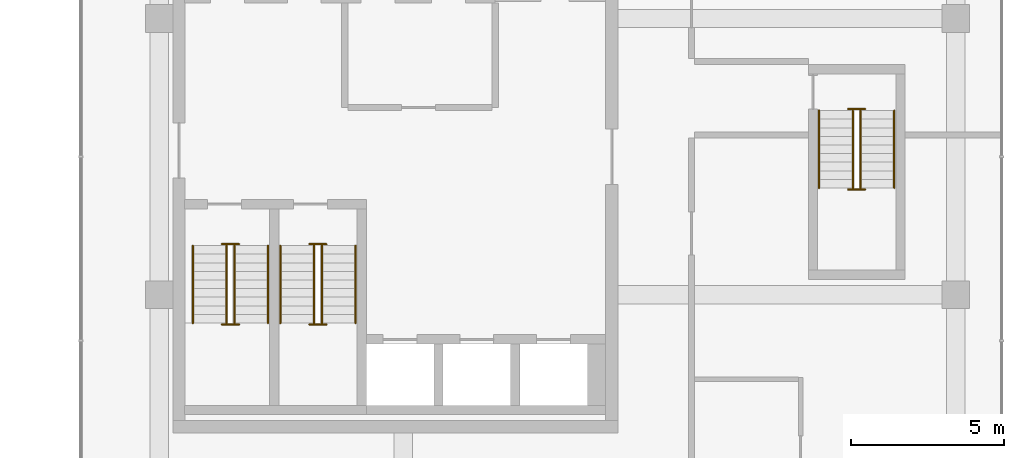
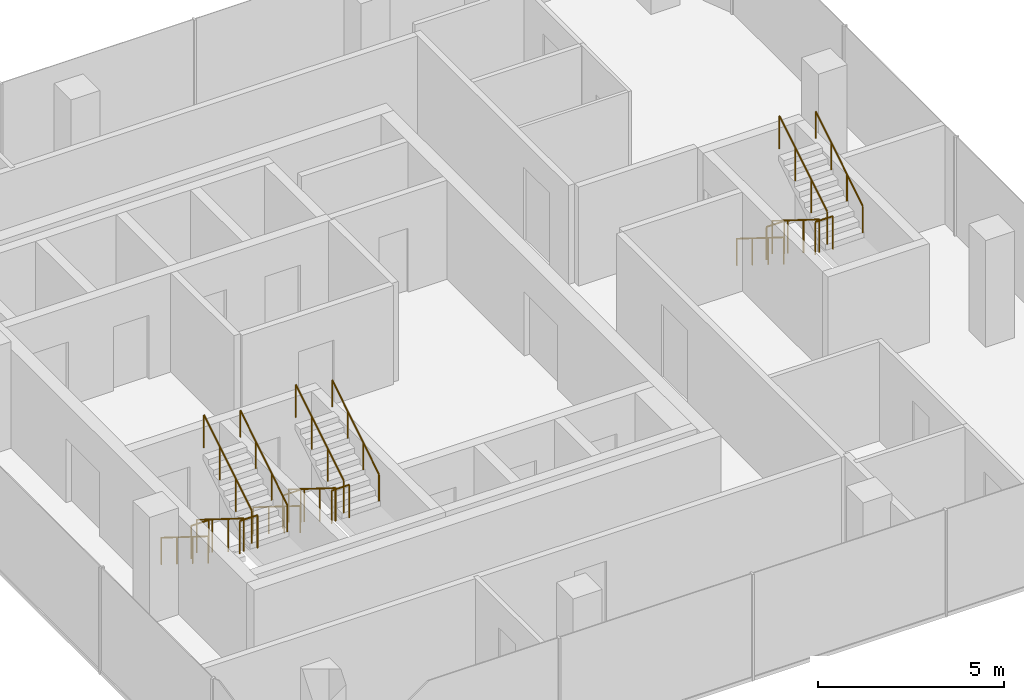
# One storey, part 23 of 23: 18 railings.
"""IFC4 building model written with IfcOpenShell, lengths in metres."""

import ifcopenshell
import ifcopenshell.guid

model = None  # the IFC model being written
_history = None  # IfcOwnerHistory: only IFC2X3 demands one
_inside = {}  # id of a spatial element -> (the spatial element, [elements in it])
_under = {}  # id of a project, library or spatial element -> (it, [spatial elements below it])
_declared = {}  # id of a project -> (the project, [libraries it declares])
_typed = {}  # id of a type object -> (the type object, [elements of that type])
_made_of = {}  # id of a material, layer set ... -> (it, [elements and type objects made of it])


def new_model(schema):
    """Start an empty IFC model of exactly this schema.

    Asked for "IFC4X3", IfcOpenShell would pick the latest addendum, in which some entities
    have other attributes; the version numbers below select the first issue.
    IFC2X3 requires an IfcOwnerHistory on every rooted entity: one is made here for all.
    """
    global model, _history
    if schema == "IFC4X3":
        model = ifcopenshell.file(schema_version=(4, 3, 0, 0))
    else:
        model = ifcopenshell.file(schema=schema)
    _inside.clear()
    _under.clear()
    _declared.clear()
    _typed.clear()
    _made_of.clear()
    _history = None
    if model.schema == "IFC2X3":
        org = make("IfcOrganization", Name="unknown")
        user = make(
            "IfcPersonAndOrganization",
            ThePerson=make("IfcPerson", FamilyName="unknown"),
            TheOrganization=org,
        )
        app = make(
            "IfcApplication",
            ApplicationDeveloper=org,
            Version="unknown",
            ApplicationFullName="unknown",
            ApplicationIdentifier="unknown",
        )
        _history = make(
            "IfcOwnerHistory",
            OwningUser=user,
            OwningApplication=app,
            ChangeAction="ADDED",
            CreationDate=0,
        )
    return model


def make(cls, **values):
    """One entity of the class cls with the attributes given. An attribute that is None is left unset."""
    return model.create_entity(
        cls, **{name: value for name, value in values.items() if value is not None}
    )


def rooted(cls, **values):
    """An entity with a GlobalId (a new one), such as an element, a storey or a relation."""
    return make(cls, GlobalId=ifcopenshell.guid.new(), OwnerHistory=_history, **values)


def si_unit(unit_type, name, prefix=None):
    """IfcSIUnit, for example si_unit("LENGTHUNIT", "METRE", prefix="MILLI")."""
    return make("IfcSIUnit", UnitType=unit_type, Prefix=prefix, Name=name)


def assignment(units):
    """IfcUnitAssignment: the units of a project."""
    return None if units is None else make("IfcUnitAssignment", Units=units)


def point(xyz):
    """IfcCartesianPoint."""
    return None if xyz is None else make("IfcCartesianPoint", Coordinates=xyz)


def direction(xyz):
    """IfcDirection."""
    return None if xyz is None else make("IfcDirection", DirectionRatios=xyz)


def frame(location, z_axis=None, x_axis=None):
    """IfcAxis2Placement3D, a coordinate frame: its origin and axes. An axis left out is left unset."""
    return make(
        "IfcAxis2Placement3D",
        Location=point(location),
        Axis=direction(z_axis),
        RefDirection=direction(x_axis),
    )


def frame_2d(location, x_axis=None):
    """IfcAxis2Placement2D, a coordinate frame in the plane: its origin and x axis."""
    return make(
        "IfcAxis2Placement2D", Location=point(location), RefDirection=direction(x_axis)
    )


def origin():
    """The frame at (0, 0, 0) with its axes left unset."""
    return frame((0.0, 0.0, 0.0))


def origin_2d():
    """The frame at (0, 0) in the plane with its x axis left unset."""
    return frame_2d((0.0, 0.0))


def place(relative_to, where):
    """IfcLocalPlacement: puts the frame where relative to a parent placement (None: the world)."""
    return make(
        "IfcLocalPlacement", PlacementRelTo=relative_to, RelativePlacement=where
    )


def context(
    kind, dimensions, precision=None, world=None, true_north=None, identifier=None
):
    """IfcGeometricRepresentationContext, for example the 3D "Model" context."""
    return make(
        "IfcGeometricRepresentationContext",
        ContextIdentifier=identifier,
        ContextType=kind,
        CoordinateSpaceDimension=dimensions,
        Precision=precision,
        WorldCoordinateSystem=world,
        TrueNorth=true_north,
    )


def subcontext(parent, identifier, kind, view, scale=None):
    """IfcGeometricRepresentationSubContext, for example "Body" below "Model"."""
    return make(
        "IfcGeometricRepresentationSubContext",
        ContextIdentifier=identifier,
        ContextType=kind,
        ParentContext=parent,
        TargetScale=scale,
        TargetView=view,
    )


def project(units=None, contexts=None):
    """IfcProject with its units and contexts."""
    return rooted(
        "IfcProject",
        Name="project",
        RepresentationContexts=contexts,
        UnitsInContext=assignment(units),
    )


def spatial(cls, under=None, at=None, **own):
    """A site, building, storey or space (cls), placed at a placement, below another one or the project."""
    s = rooted(cls, ObjectPlacement=at, **own)
    if under is not None:
        _under.setdefault(under.id(), (under, []))[1].append(s)
    return s


def profile(cls, at=None, kind="AREA", **sizes):
    """A parametric profile (cls). Its sizes go by their IFC names, for example OverallWidth=200.0."""
    return make(cls, ProfileType=kind, Position=at, **sizes)


def circle(**sizes):
    """IfcCircleProfileDef."""
    return profile("IfcCircleProfileDef", **sizes)


def extrude(swept, where, along, depth):
    """IfcExtrudedAreaSolid: the profile swept, set in the frame where, extruded along a direction by depth."""
    return make(
        "IfcExtrudedAreaSolid",
        SweptArea=swept,
        Position=where,
        ExtrudedDirection=direction(along),
        Depth=depth,
    )


def shape(context_of_items, identifier, shape_type, items):
    """IfcShapeRepresentation: the items that make up one representation, for example the "Body"."""
    return make(
        "IfcShapeRepresentation",
        ContextOfItems=context_of_items,
        RepresentationIdentifier=identifier,
        RepresentationType=shape_type,
        Items=items,
    )


def material(Name=None, Category=None):
    """IfcMaterial."""
    return make("IfcMaterial", Name=Name, Category=Category)


def made_of(thing, what):
    """Note that an element or type object is made of a material, layer set ...; save() writes the relation."""
    if what is not None:
        _made_of.setdefault(what.id(), (what, []))[1].append(thing)
    return thing


def type_object(cls, material=None, **own):
    """A type object (cls), such as IfcWallType, which elements share."""
    return made_of(rooted(cls, **own), material)


def element(
    cls,
    number,
    at=None,
    inside=None,
    cuts=None,
    type_object=None,
    material=None,
    context=None,
    identifier="Body",
    shape_type=None,
    held_by="IfcProductDefinitionShape",
    body=None,
    shapes=None,
    **own,
):
    """One element of the class cls, such as IfcWall. Its Tag is "e" and its number.

    at: its placement. inside: the storey or other place that contains it. cuts: it is an
    opening in that element (IfcRelVoidsElement). A single representation is given by context,
    identifier, shape_type and body (its items); several are given by shapes. held_by: the class
    of the entity that holds the representations. save() writes the other relations.
    """
    e = rooted(cls, Tag="e%d" % number, ObjectPlacement=at, **own)
    if body is not None:
        shapes = [shape(context, identifier, shape_type, body)]
    if shapes is not None:
        e.Representation = make(held_by, Representations=shapes)
    if inside is not None:
        _inside.setdefault(inside.id(), (inside, []))[1].append(e)
    if cuts is not None:
        rooted(
            "IfcRelVoidsElement", RelatingBuildingElement=cuts, RelatedOpeningElement=e
        )
    if type_object is not None:
        _typed.setdefault(type_object.id(), (type_object, []))[1].append(e)
    return made_of(e, material)


def aggregate(whole, parts):
    """IfcRelAggregates: a whole, such as a stair, and the parts it consists of."""
    return rooted("IfcRelAggregates", RelatingObject=whole, RelatedObjects=parts)


def save(model, path):
    """Write the relations noted so far, then the file.

    IfcRelAggregates (storeys below a building ...), IfcRelContainedInSpatialStructure (elements
    in a storey), IfcRelDefinesByType, IfcRelAssociatesMaterial and IfcRelDeclares: one each for
    every whole, place, type object, material and project.
    """
    for whole, parts in _under.values():
        aggregate(whole, parts)
    for where, things in _inside.values():
        rooted(
            "IfcRelContainedInSpatialStructure",
            RelatedElements=things,
            RelatingStructure=where,
        )
    for kind, things in _typed.values():
        rooted("IfcRelDefinesByType", RelatedObjects=things, RelatingType=kind)
    for what, things in _made_of.values():
        rooted("IfcRelAssociatesMaterial", RelatedObjects=things, RelatingMaterial=what)
    for by, libraries in _declared.values():
        rooted("IfcRelDeclares", RelatingContext=by, RelatedDefinitions=libraries)
    model.write(path)


model = new_model("IFC4")

# Units and contexts
model_context = context("Model", 3, precision=1e-05, world=origin(), true_north=direction((0.0, 1.0)))
body_context = subcontext(model_context, "Body", "Model", "MODEL_VIEW")
ifc_project = project(units=[si_unit("LENGTHUNIT", "METRE"), si_unit("AREAUNIT", "SQUARE_METRE"), si_unit("VOLUMEUNIT", "CUBIC_METRE"), si_unit("PLANEANGLEUNIT", "RADIAN"), si_unit("MASSUNIT", "GRAM", prefix="KILO")], contexts=[model_context])

# Site, building, storey
site_placement = place(None, origin())
site = spatial("IfcSite", under=ifc_project, at=site_placement, CompositionType="ELEMENT")
building_placement = place(site_placement, origin())
building = spatial("IfcBuilding", under=site, at=building_placement, Name="Plateau Cross Towers", CompositionType="ELEMENT")
storey_placement = place(building_placement, frame((0.0, 0.0, 92.300048828125)))
storey = spatial("IfcBuildingStorey", under=building, at=storey_placement, Name="L23", CompositionType="ELEMENT", Elevation=92.300048828125)

# Railings
ifc_material_1 = material(Name="Stainless steel and toughened glass", Category="steel")
railing_type_1 = type_object("IfcRailingType", Name="RL-GUARD-1100", PredefinedType="GUARDRAIL", material=ifc_material_1)
railing_1_placement = place(storey_placement, frame((76.75, 6.10009765625, 0.175048828125)))
element("IfcRailing", 1, at=railing_1_placement, inside=storey, type_object=railing_type_1, Name="L23 SB-1 stair guard 1", PredefinedType="GUARDRAIL", context=body_context, shape_type="SweptSolid", body=[
    extrude(circle(Radius=0.02392578125, at=origin_2d()), frame((0.0, 0.0, 1.076171875), z_axis=(0.0, -0.848007534815, 0.529984170421), x_axis=(1.0, 0.0, 0.0)), (0.0, 0.0, 1.0), 2.9716796875),
    extrude(circle(Radius=0.02099609375, at=origin_2d()), origin(), (0.0, 0.0, 1.0), 1.052001953125),
    extrude(circle(Radius=0.02099609375, at=origin_2d()), frame((0.0, -0.840087890625, 0.52490234375)), (0.0, 0.0, 1.0), 1.052001953125),
    extrude(circle(Radius=0.02099609375, at=origin_2d()), frame((0.0, -1.679931640625, 1.050048828125)), (0.0, 0.0, 1.0), 1.052001953125),
    extrude(circle(Radius=0.02099609375, at=origin_2d()), frame((0.0, -2.52001953125, 1.574951171875)), (0.0, 0.0, 1.0), 1.052001953125),
])
railing_2_placement = place(storey_placement, frame((76.60009765625, 3.530029296875, 1.75)))
element("IfcRailing", 2, at=railing_2_placement, inside=storey, type_object=railing_type_1, Name="L23 SB-1 stair guard 2", PredefinedType="GUARDRAIL", context=body_context, shape_type="SweptSolid", body=[
    extrude(circle(Radius=0.02392578125, at=origin_2d()), frame((0.0, 0.0, 1.076171875), z_axis=(1.0, 0.0, 0.0), x_axis=(0.0, 1.0, 0.0)), (0.0, 0.0, 1.0), 0.5498046875),
    extrude(circle(Radius=0.02099609375, at=origin_2d()), origin(), (0.0, 0.0, 1.0), 1.052001953125),
    extrude(circle(Radius=0.02099609375, at=origin_2d()), frame((0.5498046875, 0.0, 0.0)), (0.0, 0.0, 1.0), 1.052001953125),
])
railing_3_placement = place(storey_placement, frame((77.0, 3.580078125, 1.925048828125)))
element("IfcRailing", 3, at=railing_3_placement, inside=storey, type_object=railing_type_1, Name="L23 SB-1 stair guard 3", PredefinedType="GUARDRAIL", context=body_context, shape_type="SweptSolid", body=[
    extrude(circle(Radius=0.02392578125, at=origin_2d()), frame((0.0, 0.0, 1.076171875), z_axis=(0.0, 0.852616386126, 0.522537365276), x_axis=(-1.0, 0.0, 0.0)), (0.0, 0.0, 1.0), 3.01416015625),
    extrude(circle(Radius=0.02099609375, at=origin_2d()), origin(), (0.0, 0.0, 1.0), 1.052001953125),
    extrude(circle(Radius=0.02099609375, at=origin_2d()), frame((0.0, 0.856689453125, 0.52490234375)), (0.0, 0.0, 1.0), 1.052001953125),
    extrude(circle(Radius=0.02099609375, at=origin_2d()), frame((0.0, 1.713134765625, 1.050048828125)), (0.0, 0.0, 1.0), 1.052001953125),
    extrude(circle(Radius=0.02099609375, at=origin_2d()), frame((0.0, 2.56982421875, 1.574951171875)), (0.0, 0.0, 1.0), 1.052001953125),
])
railing_4_placement = place(storey_placement, frame((76.60009765625, 6.14990234375, 0.0)))
element("IfcRailing", 4, at=railing_4_placement, inside=storey, type_object=railing_type_1, Name="L23 SB-1 stair guard 4", PredefinedType="GUARDRAIL", context=body_context, shape_type="SweptSolid", body=[
    extrude(circle(Radius=0.02392578125, at=origin_2d()), frame((0.0, 0.0, 1.076171875), z_axis=(1.0, 0.0, 0.0), x_axis=(0.0, 1.0, 0.0)), (0.0, 0.0, 1.0), 0.5498046875),
    extrude(circle(Radius=0.02099609375, at=origin_2d()), origin(), (0.0, 0.0, 1.0), 1.052001953125),
    extrude(circle(Radius=0.02099609375, at=origin_2d()), frame((0.5498046875, 0.0, 0.0)), (0.0, 0.0, 1.0), 1.052001953125),
])
railing_5_placement = place(storey_placement, frame((79.60009765625, 6.10009765625, 0.175048828125)))
element("IfcRailing", 5, at=railing_5_placement, inside=storey, type_object=railing_type_1, Name="L23 SB-2 stair guard 1", PredefinedType="GUARDRAIL", context=body_context, shape_type="SweptSolid", body=[
    extrude(circle(Radius=0.02392578125, at=origin_2d()), frame((0.0, 0.0, 1.076171875), z_axis=(0.0, -0.848007534815, 0.529984170421), x_axis=(1.0, 0.0, 0.0)), (0.0, 0.0, 1.0), 2.9716796875),
    extrude(circle(Radius=0.02099609375, at=origin_2d()), origin(), (0.0, 0.0, 1.0), 1.052001953125),
    extrude(circle(Radius=0.02099609375, at=origin_2d()), frame((0.0, -0.840087890625, 0.52490234375)), (0.0, 0.0, 1.0), 1.052001953125),
    extrude(circle(Radius=0.02099609375, at=origin_2d()), frame((0.0, -1.679931640625, 1.050048828125)), (0.0, 0.0, 1.0), 1.052001953125),
    extrude(circle(Radius=0.02099609375, at=origin_2d()), frame((0.0, -2.52001953125, 1.574951171875)), (0.0, 0.0, 1.0), 1.052001953125),
])
railing_6_placement = place(storey_placement, frame((79.449951171875, 3.530029296875, 1.75)))
element("IfcRailing", 6, at=railing_6_placement, inside=storey, type_object=railing_type_1, Name="L23 SB-2 stair guard 2", PredefinedType="GUARDRAIL", context=body_context, shape_type="SweptSolid", body=[
    extrude(circle(Radius=0.02392578125, at=origin_2d()), frame((0.0, 0.0, 1.076171875), z_axis=(1.0, 0.0, 0.0), x_axis=(0.0, 1.0, 0.0)), (0.0, 0.0, 1.0), 0.550048828125),
    extrude(circle(Radius=0.02099609375, at=origin_2d()), origin(), (0.0, 0.0, 1.0), 1.052001953125),
    extrude(circle(Radius=0.02099609375, at=origin_2d()), frame((0.550048828125, 0.0, 0.0)), (0.0, 0.0, 1.0), 1.052001953125),
])
railing_7_placement = place(storey_placement, frame((79.85009765625, 3.580078125, 1.925048828125)))
element("IfcRailing", 7, at=railing_7_placement, inside=storey, type_object=railing_type_1, Name="L23 SB-2 stair guard 3", PredefinedType="GUARDRAIL", context=body_context, shape_type="SweptSolid", body=[
    extrude(circle(Radius=0.02392578125, at=origin_2d()), frame((0.0, 0.0, 1.076171875), z_axis=(0.0, 0.852616386126, 0.522537365276), x_axis=(-1.0, 0.0, 0.0)), (0.0, 0.0, 1.0), 3.01416015625),
    extrude(circle(Radius=0.02099609375, at=origin_2d()), origin(), (0.0, 0.0, 1.0), 1.052001953125),
    extrude(circle(Radius=0.02099609375, at=origin_2d()), frame((0.0, 0.856689453125, 0.52490234375)), (0.0, 0.0, 1.0), 1.052001953125),
    extrude(circle(Radius=0.02099609375, at=origin_2d()), frame((0.0, 1.713134765625, 1.050048828125)), (0.0, 0.0, 1.0), 1.052001953125),
    extrude(circle(Radius=0.02099609375, at=origin_2d()), frame((0.0, 2.56982421875, 1.574951171875)), (0.0, 0.0, 1.0), 1.052001953125),
])
railing_8_placement = place(storey_placement, frame((79.449951171875, 6.14990234375, 0.0)))
element("IfcRailing", 8, at=railing_8_placement, inside=storey, type_object=railing_type_1, Name="L23 SB-2 stair guard 4", PredefinedType="GUARDRAIL", context=body_context, shape_type="SweptSolid", body=[
    extrude(circle(Radius=0.02392578125, at=origin_2d()), frame((0.0, 0.0, 1.076171875), z_axis=(1.0, 0.0, 0.0), x_axis=(0.0, 1.0, 0.0)), (0.0, 0.0, 1.0), 0.550048828125),
    extrude(circle(Radius=0.02099609375, at=origin_2d()), origin(), (0.0, 0.0, 1.0), 1.052001953125),
    extrude(circle(Radius=0.02099609375, at=origin_2d()), frame((0.550048828125, 0.0, 0.0)), (0.0, 0.0, 1.0), 1.052001953125),
])
railing_9_placement = place(storey_placement, frame((97.14990234375, 10.5, 0.175048828125)))
element("IfcRailing", 9, at=railing_9_placement, inside=storey, type_object=railing_type_1, Name="L23 SB-3 stair guard 1", PredefinedType="GUARDRAIL", context=body_context, shape_type="SweptSolid", body=[
    extrude(circle(Radius=0.02392578125, at=origin_2d()), frame((0.0, 0.0, 1.076171875), z_axis=(0.0, -0.848007534815, 0.529984170421), x_axis=(1.0, 0.0, 0.0)), (0.0, 0.0, 1.0), 2.9716796875),
    extrude(circle(Radius=0.02099609375, at=origin_2d()), origin(), (0.0, 0.0, 1.0), 1.052001953125),
    extrude(circle(Radius=0.02099609375, at=origin_2d()), frame((0.0, -0.840087890625, 0.52490234375)), (0.0, 0.0, 1.0), 1.052001953125),
    extrude(circle(Radius=0.02099609375, at=origin_2d()), frame((0.0, -1.679931640625, 1.050048828125)), (0.0, 0.0, 1.0), 1.052001953125),
    extrude(circle(Radius=0.02099609375, at=origin_2d()), frame((0.0, -2.52001953125, 1.574951171875)), (0.0, 0.0, 1.0), 1.052001953125),
])
railing_10_placement = place(storey_placement, frame((97.0, 7.929931640625, 1.75)))
element("IfcRailing", 10, at=railing_10_placement, inside=storey, type_object=railing_type_1, Name="L23 SB-3 stair guard 2", PredefinedType="GUARDRAIL", context=body_context, shape_type="SweptSolid", body=[
    extrude(circle(Radius=0.02392578125, at=origin_2d()), frame((0.0, 0.0, 1.076171875), z_axis=(1.0, 0.0, 0.0), x_axis=(0.0, 1.0, 0.0)), (0.0, 0.0, 1.0), 0.550048828125),
    extrude(circle(Radius=0.02099609375, at=origin_2d()), origin(), (0.0, 0.0, 1.0), 1.052001953125),
    extrude(circle(Radius=0.02099609375, at=origin_2d()), frame((0.550048828125, 0.0, 0.0)), (0.0, 0.0, 1.0), 1.052001953125),
])
railing_11_placement = place(storey_placement, frame((97.39990234375, 7.97998046875, 1.925048828125)))
element("IfcRailing", 11, at=railing_11_placement, inside=storey, type_object=railing_type_1, Name="L23 SB-3 stair guard 3", PredefinedType="GUARDRAIL", context=body_context, shape_type="SweptSolid", body=[
    extrude(circle(Radius=0.02392578125, at=origin_2d()), frame((0.0, 0.0, 1.076171875), z_axis=(0.0, 0.852638500773, 0.522501279423), x_axis=(-1.0, 0.0, 0.0)), (0.0, 0.0, 1.0), 3.01416015625),
    extrude(circle(Radius=0.02099609375, at=origin_2d()), origin(), (0.0, 0.0, 1.0), 1.052001953125),
    extrude(circle(Radius=0.02099609375, at=origin_2d()), frame((0.0, 0.856689453125, 0.52490234375)), (0.0, 0.0, 1.0), 1.052001953125),
    extrude(circle(Radius=0.02099609375, at=origin_2d()), frame((0.0, 1.71337890625, 1.050048828125)), (0.0, 0.0, 1.0), 1.052001953125),
    extrude(circle(Radius=0.02099609375, at=origin_2d()), frame((0.0, 2.570068359375, 1.574951171875)), (0.0, 0.0, 1.0), 1.052001953125),
])
railing_12_placement = place(storey_placement, frame((97.0, 10.550048828125, 0.0)))
element("IfcRailing", 12, at=railing_12_placement, inside=storey, type_object=railing_type_1, Name="L23 SB-3 stair guard 4", PredefinedType="GUARDRAIL", context=body_context, shape_type="SweptSolid", body=[
    extrude(circle(Radius=0.02392578125, at=origin_2d()), frame((0.0, 0.0, 1.076171875), z_axis=(1.0, 0.0, 0.0), x_axis=(0.0, 1.0, 0.0)), (0.0, 0.0, 1.0), 0.550048828125),
    extrude(circle(Radius=0.02099609375, at=origin_2d()), origin(), (0.0, 0.0, 1.0), 1.052001953125),
    extrude(circle(Radius=0.02099609375, at=origin_2d()), frame((0.550048828125, 0.0, 0.0)), (0.0, 0.0, 1.0), 1.052001953125),
])
ifc_material_2 = material(Name="Black anodised aluminium", Category="aluminium")
railing_type_2 = type_object("IfcRailingType", Name="RL-HANDRAIL-900", PredefinedType="HANDRAIL", material=ifc_material_2)
railing_13_placement = place(storey_placement, frame((75.64990234375, 6.10009765625, 0.175048828125)))
element("IfcRailing", 13, at=railing_13_placement, inside=storey, type_object=railing_type_2, Name="L23 SB-1 stair handrail 1", PredefinedType="HANDRAIL", context=body_context, shape_type="SweptSolid", body=[
    extrude(circle(Radius=0.02392578125, at=origin_2d()), frame((0.0, 0.0, 0.8759765625), z_axis=(0.0, -0.848007534815, 0.529984170421), x_axis=(1.0, 0.0, 0.0)), (0.0, 0.0, 1.0), 2.9716796875),
    extrude(circle(Radius=0.02099609375, at=origin_2d()), origin(), (0.0, 0.0, 1.0), 0.851806640625),
    extrude(circle(Radius=0.02099609375, at=origin_2d()), frame((0.0, -0.840087890625, 0.52490234375)), (0.0, 0.0, 1.0), 0.851806640625),
    extrude(circle(Radius=0.02099609375, at=origin_2d()), frame((0.0, -1.679931640625, 1.050048828125)), (0.0, 0.0, 1.0), 0.851806640625),
    extrude(circle(Radius=0.02099609375, at=origin_2d()), frame((0.0, -2.52001953125, 1.574951171875)), (0.0, 0.0, 1.0), 0.851806640625),
])
railing_14_placement = place(storey_placement, frame((78.10009765625, 3.580078125, 1.925048828125)))
element("IfcRailing", 14, at=railing_14_placement, inside=storey, type_object=railing_type_2, Name="L23 SB-1 stair handrail 2", PredefinedType="HANDRAIL", context=body_context, shape_type="SweptSolid", body=[
    extrude(circle(Radius=0.02392578125, at=origin_2d()), frame((0.0, 0.0, 0.8759765625), z_axis=(0.0, 0.848007534815, 0.529984170421), x_axis=(-1.0, 0.0, 0.0)), (0.0, 0.0, 1.0), 2.9716796875),
    extrude(circle(Radius=0.02099609375, at=origin_2d()), origin(), (0.0, 0.0, 1.0), 0.851806640625),
    extrude(circle(Radius=0.02099609375, at=origin_2d()), frame((0.0, 0.840087890625, 0.52490234375)), (0.0, 0.0, 1.0), 0.851806640625),
    extrude(circle(Radius=0.02099609375, at=origin_2d()), frame((0.0, 1.679931640625, 1.050048828125)), (0.0, 0.0, 1.0), 0.851806640625),
    extrude(circle(Radius=0.02099609375, at=origin_2d()), frame((0.0, 2.52001953125, 1.574951171875)), (0.0, 0.0, 1.0), 0.851806640625),
])
railing_15_placement = place(storey_placement, frame((78.5, 6.10009765625, 0.175048828125)))
element("IfcRailing", 15, at=railing_15_placement, inside=storey, type_object=railing_type_2, Name="L23 SB-2 stair handrail 1", PredefinedType="HANDRAIL", context=body_context, shape_type="SweptSolid", body=[
    extrude(circle(Radius=0.02392578125, at=origin_2d()), frame((0.0, 0.0, 0.8759765625), z_axis=(0.0, -0.848007534815, 0.529984170421), x_axis=(1.0, 0.0, 0.0)), (0.0, 0.0, 1.0), 2.9716796875),
    extrude(circle(Radius=0.02099609375, at=origin_2d()), origin(), (0.0, 0.0, 1.0), 0.851806640625),
    extrude(circle(Radius=0.02099609375, at=origin_2d()), frame((0.0, -0.840087890625, 0.52490234375)), (0.0, 0.0, 1.0), 0.851806640625),
    extrude(circle(Radius=0.02099609375, at=origin_2d()), frame((0.0, -1.679931640625, 1.050048828125)), (0.0, 0.0, 1.0), 0.851806640625),
    extrude(circle(Radius=0.02099609375, at=origin_2d()), frame((0.0, -2.52001953125, 1.574951171875)), (0.0, 0.0, 1.0), 0.851806640625),
])
railing_16_placement = place(storey_placement, frame((80.949951171875, 3.580078125, 1.925048828125)))
element("IfcRailing", 16, at=railing_16_placement, inside=storey, type_object=railing_type_2, Name="L23 SB-2 stair handrail 2", PredefinedType="HANDRAIL", context=body_context, shape_type="SweptSolid", body=[
    extrude(circle(Radius=0.02392578125, at=origin_2d()), frame((0.0, 0.0, 0.8759765625), z_axis=(0.0, 0.848007534815, 0.529984170421), x_axis=(-1.0, 0.0, 0.0)), (0.0, 0.0, 1.0), 2.9716796875),
    extrude(circle(Radius=0.02099609375, at=origin_2d()), origin(), (0.0, 0.0, 1.0), 0.851806640625),
    extrude(circle(Radius=0.02099609375, at=origin_2d()), frame((0.0, 0.840087890625, 0.52490234375)), (0.0, 0.0, 1.0), 0.851806640625),
    extrude(circle(Radius=0.02099609375, at=origin_2d()), frame((0.0, 1.679931640625, 1.050048828125)), (0.0, 0.0, 1.0), 0.851806640625),
    extrude(circle(Radius=0.02099609375, at=origin_2d()), frame((0.0, 2.52001953125, 1.574951171875)), (0.0, 0.0, 1.0), 0.851806640625),
])
railing_17_placement = place(storey_placement, frame((96.050048828125, 10.5, 0.175048828125)))
element("IfcRailing", 17, at=railing_17_placement, inside=storey, type_object=railing_type_2, Name="L23 SB-3 stair handrail 1", PredefinedType="HANDRAIL", context=body_context, shape_type="SweptSolid", body=[
    extrude(circle(Radius=0.02392578125, at=origin_2d()), frame((0.0, 0.0, 0.8759765625), z_axis=(0.0, -0.848007534815, 0.529984170421), x_axis=(1.0, 0.0, 0.0)), (0.0, 0.0, 1.0), 2.9716796875),
    extrude(circle(Radius=0.02099609375, at=origin_2d()), origin(), (0.0, 0.0, 1.0), 0.851806640625),
    extrude(circle(Radius=0.02099609375, at=origin_2d()), frame((0.0, -0.840087890625, 0.52490234375)), (0.0, 0.0, 1.0), 0.851806640625),
    extrude(circle(Radius=0.02099609375, at=origin_2d()), frame((0.0, -1.679931640625, 1.050048828125)), (0.0, 0.0, 1.0), 0.851806640625),
    extrude(circle(Radius=0.02099609375, at=origin_2d()), frame((0.0, -2.52001953125, 1.574951171875)), (0.0, 0.0, 1.0), 0.851806640625),
])
railing_18_placement = place(storey_placement, frame((98.5, 7.97998046875, 1.925048828125)))
element("IfcRailing", 18, at=railing_18_placement, inside=storey, type_object=railing_type_2, Name="L23 SB-3 stair handrail 2", PredefinedType="HANDRAIL", context=body_context, shape_type="SweptSolid", body=[
    extrude(circle(Radius=0.02392578125, at=origin_2d()), frame((0.0, 0.0, 0.8759765625), z_axis=(0.0, 0.848007534815, 0.529984170421), x_axis=(-1.0, 0.0, 0.0)), (0.0, 0.0, 1.0), 2.9716796875),
    extrude(circle(Radius=0.02099609375, at=origin_2d()), origin(), (0.0, 0.0, 1.0), 0.851806640625),
    extrude(circle(Radius=0.02099609375, at=origin_2d()), frame((0.0, 0.840087890625, 0.52490234375)), (0.0, 0.0, 1.0), 0.851806640625),
    extrude(circle(Radius=0.02099609375, at=origin_2d()), frame((0.0, 1.679931640625, 1.050048828125)), (0.0, 0.0, 1.0), 0.851806640625),
    extrude(circle(Radius=0.02099609375, at=origin_2d()), frame((0.0, 2.52001953125, 1.574951171875)), (0.0, 0.0, 1.0), 0.851806640625),
])

save(model, "model.ifc")
